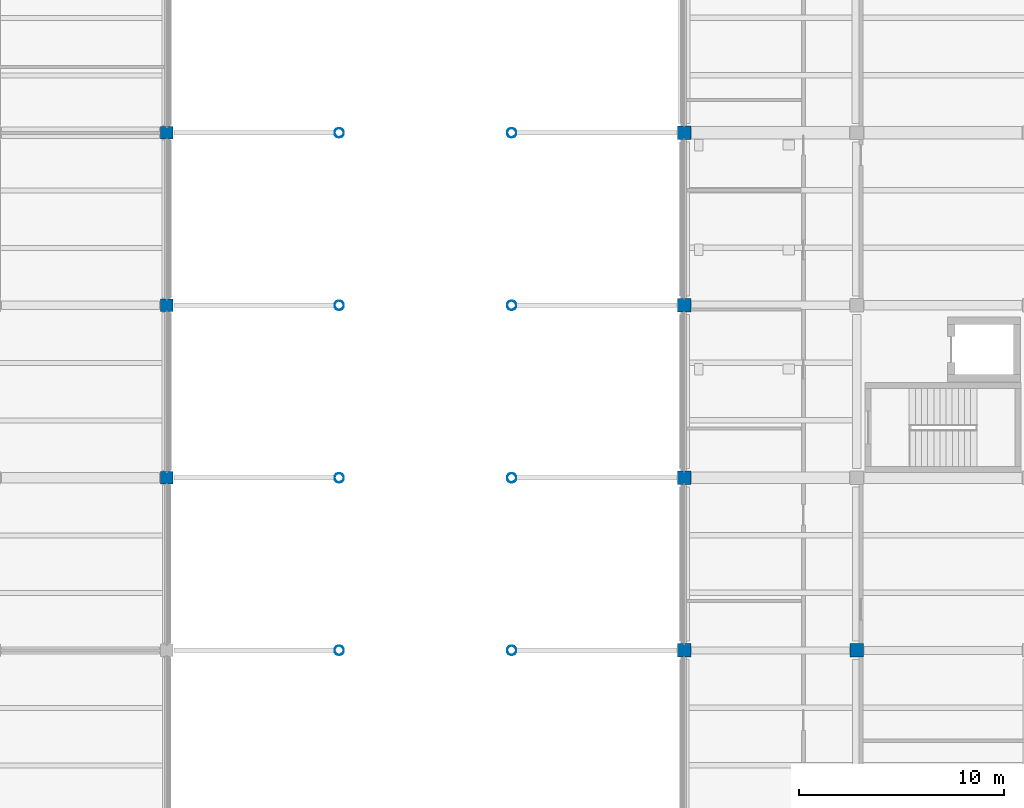
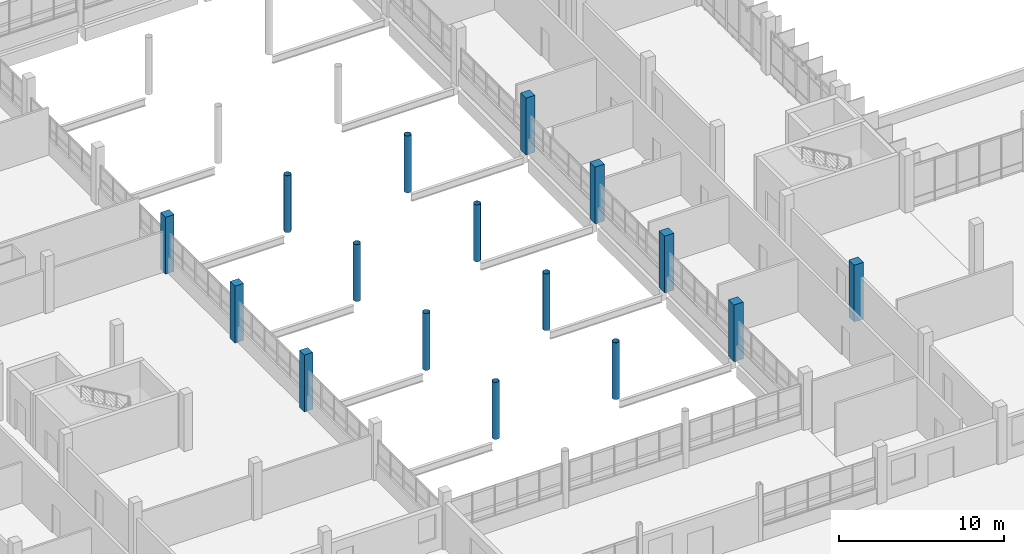
# One storey, part 4 of 101: 16 columns.
"""IFC4 building model written with IfcOpenShell, lengths in metres."""

from ifc_helpers import new_model, si_unit, direction, frame, origin, origin_2d, place, context, subcontext, project, spatial, rectangle, hollow_circle, extrude, material, material_profile, profile_set, type_object, element, save


model = new_model("IFC4")

# Units and contexts
model_context = context("Model", 3, precision=1e-05, world=origin(), true_north=direction((0.0, 1.0)))
body_context = subcontext(model_context, "Body", "Model", "MODEL_VIEW")
ifc_project = project(units=[si_unit("LENGTHUNIT", "METRE"), si_unit("AREAUNIT", "SQUARE_METRE"), si_unit("VOLUMEUNIT", "CUBIC_METRE"), si_unit("PLANEANGLEUNIT", "RADIAN"), si_unit("MASSUNIT", "GRAM", prefix="KILO")], contexts=[model_context])

# Site, building, storey
site_placement = place(None, origin())
site = spatial("IfcSite", under=ifc_project, at=site_placement, CompositionType="ELEMENT")
building_placement = place(site_placement, origin())
building = spatial("IfcBuilding", under=site, at=building_placement, Name="Vireocrest Preparatory School", CompositionType="ELEMENT")
storey_placement = place(building_placement, frame((0.0, 0.0, 4.800048828125)))
storey = spatial("IfcBuildingStorey", under=building, at=storey_placement, Name="L01", CompositionType="ELEMENT", Elevation=4.800048828125)

# Columns
ifc_material_1 = material(Name="Concrete 45 MPa", Category="concrete")
ifc_material_profile_1 = material_profile(ifc_material_1, rectangle(XDim=0.60009765625, YDim=0.60009765625, at=origin_2d()), Name="RC 600x600")
ifc_profile_set_1 = profile_set([ifc_material_profile_1], Name="Concrete 45 MPa")
column_type_1 = type_object("IfcColumnType", Name="RC Column 600x600", PredefinedType="COLUMN", material=ifc_profile_set_1)
for number, where, z_axis, x_axis, name in (
    (1, (67.199951171875, 43.800048828125, 0.0), (0.0, 0.0, 1.0), (1.0, 0.0, 0.0), "Column C05 L01 9/F"),
    (2, (67.199951171875, 52.199951171875, 0.0), (0.0, 0.0, 1.0), (1.0, 0.0, 0.0), "Column C05 L01 9/G"),
    (3, (67.199951171875, 60.60009765625, 0.0), (0.0, 0.0, 1.0), (1.0, 0.0, 0.0), "Column C05 L01 9/H"),
):
    element("IfcColumn", number, at=place(storey_placement, frame(where, z_axis=z_axis, x_axis=x_axis)), inside=storey, type_object=column_type_1, Name=name, PredefinedType="COLUMN", context=body_context, shape_type="SweptSolid", body=[
        extrude(rectangle(XDim=0.60009765625, YDim=0.60009765625, at=origin_2d()), origin(), (0.0, 0.0, 1.0), 4.199951171875),
    ])
ifc_material_profile_2 = material_profile(ifc_material_1, rectangle(XDim=0.64990234375, YDim=0.64990234375, at=origin_2d()), Name="RC 650x650")
ifc_profile_set_2 = profile_set([ifc_material_profile_2], Name="Concrete 45 MPa")
column_type_2 = type_object("IfcColumnType", Name="RC Column 650x650", PredefinedType="COLUMN", material=ifc_profile_set_2)
for number, where, z_axis, x_axis, name in (
    (4, (92.39990234375, 35.39990234375, 0.0), (0.0, 0.0, 1.0), (1.0, 0.0, 0.0), "Column C06 L01 12/E"),
    (5, (92.39990234375, 43.800048828125, 0.0), (0.0, 0.0, 1.0), (1.0, 0.0, 0.0), "Column C06 L01 12/F"),
    (6, (92.39990234375, 52.199951171875, 0.0), (0.0, 0.0, 1.0), (1.0, 0.0, 0.0), "Column C06 L01 12/G"),
    (7, (92.39990234375, 60.60009765625, 0.0), (0.0, 0.0, 1.0), (1.0, 0.0, 0.0), "Column C06 L01 12/H"),
    (8, (100.800048828125, 35.39990234375, 0.0), (0.0, 0.0, 1.0), (1.0, 0.0, 0.0), "Column C06 L01 13/E"),
):
    element("IfcColumn", number, at=place(storey_placement, frame(where, z_axis=z_axis, x_axis=x_axis)), inside=storey, type_object=column_type_2, Name=name, PredefinedType="COLUMN", context=body_context, shape_type="SweptSolid", body=[
        extrude(rectangle(XDim=0.64990234375, YDim=0.64990234375, at=origin_2d()), origin(), (0.0, 0.0, 1.0), 4.199951171875),
    ])
ifc_material_2 = material(Name="Painted white steel ASTM A500 Grade C", Category="steel")
ifc_material_profile_3 = material_profile(ifc_material_2, hollow_circle(Radius=0.228515625, WallThickness=0.0126953125, at=origin_2d()), Name="HSS18.000X0.500")
ifc_profile_set_3 = profile_set([ifc_material_profile_3], Name="Painted white steel ASTM A500 Grade C")
column_type_3 = type_object("IfcColumnType", Name="White Steel Court Trunk HSS18.000X0.500", PredefinedType="USERDEFINED", material=ifc_profile_set_3)
for number, where, z_axis, x_axis, name in (
    (9, (75.60009765625, 35.39990234375, 0.0), (0.0, 0.0, 1.0), (1.0, 0.0, 0.0), "Court Canopy Trunk VC2 W2 L01"),
    (10, (84.0, 35.39990234375, 0.0), (0.0, 0.0, 1.0), (1.0, 0.0, 0.0), "Court Canopy Trunk VC2 E2 L01"),
    (11, (75.60009765625, 43.800048828125, 0.0), (0.0, 0.0, 1.0), (1.0, 0.0, 0.0), "Court Canopy Trunk VC2 W3 L01"),
    (12, (84.0, 43.800048828125, 0.0), (0.0, 0.0, 1.0), (1.0, 0.0, 0.0), "Court Canopy Trunk VC2 E3 L01"),
    (13, (75.60009765625, 52.199951171875, 0.0), (0.0, 0.0, 1.0), (1.0, 0.0, 0.0), "Court Canopy Trunk VC2 W4 L01"),
    (14, (84.0, 52.199951171875, 0.0), (0.0, 0.0, 1.0), (1.0, 0.0, 0.0), "Court Canopy Trunk VC2 E4 L01"),
    (15, (75.60009765625, 60.60009765625, 0.0), (0.0, 0.0, 1.0), (1.0, 0.0, 0.0), "Court Canopy Trunk VC2 W5 L01"),
    (16, (84.0, 60.60009765625, 0.0), (0.0, 0.0, 1.0), (1.0, 0.0, 0.0), "Court Canopy Trunk VC2 E5 L01"),
):
    element("IfcColumn", number, at=place(storey_placement, frame(where, z_axis=z_axis, x_axis=x_axis)), inside=storey, type_object=column_type_3, Name=name, ObjectType="PILOTI", PredefinedType="USERDEFINED", context=body_context, shape_type="SweptSolid", body=[
        extrude(hollow_circle(Radius=0.228515625, WallThickness=0.0126953125, at=origin_2d()), origin(), (0.0, 0.0, 1.0), 4.199951171875),
    ])

save(model, "model.ifc")
